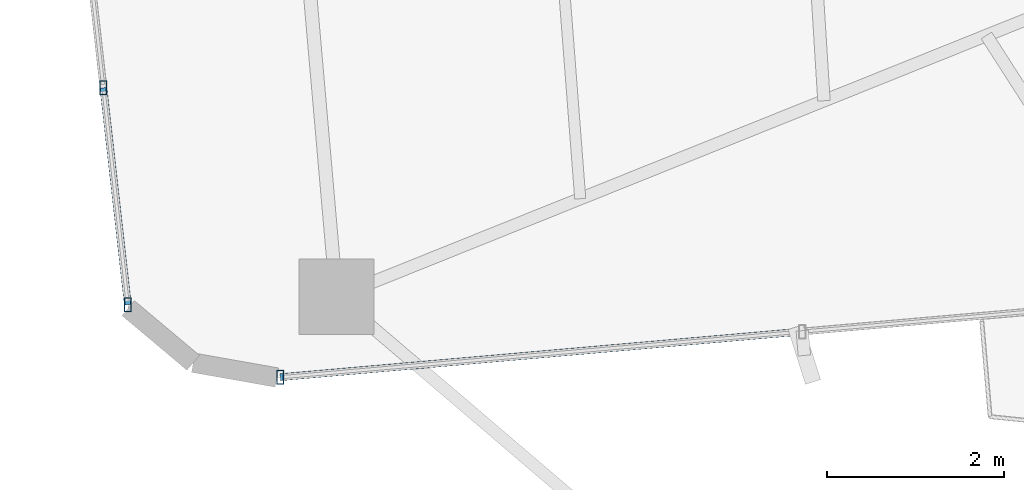
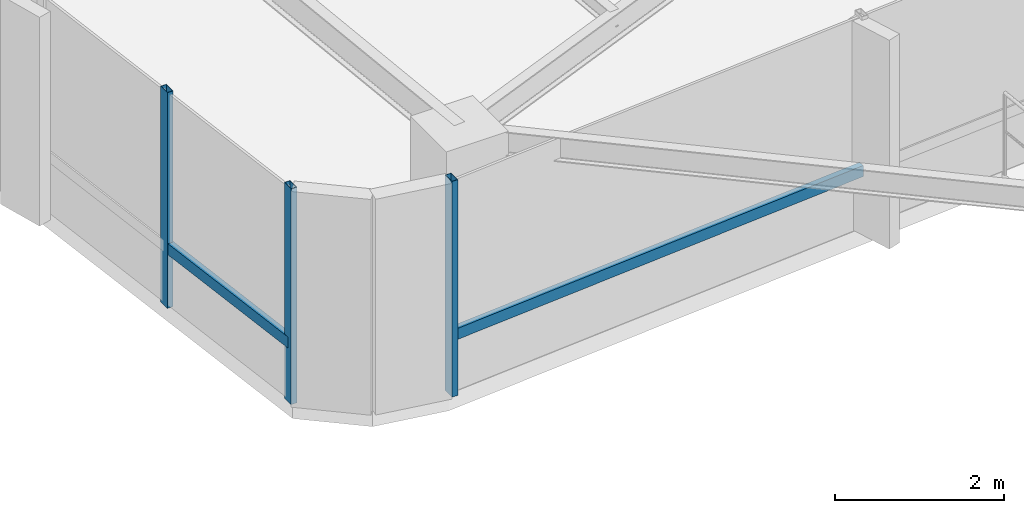
# One storey, part 3 of 24: 5 members, 2 elements without a shape of their own.
"""IFC4 building model written with IfcOpenShell, lengths in metres."""

from ifc_helpers import new_model, si_unit, direction, frame, origin, origin_2d, place, context, subcontext, project, spatial, hollow_rectangle, extrude, source, transform, mapped, material, material_profile, profile_set, type_object, element, aggregate, save


model = new_model("IFC4")

# Units and contexts
model_context = context("Model", 3, precision=1e-05, world=origin(), true_north=direction((0.0, 1.0)))
body_context = subcontext(model_context, "Body", "Model", "MODEL_VIEW")
ifc_project = project(units=[si_unit("LENGTHUNIT", "METRE"), si_unit("AREAUNIT", "SQUARE_METRE"), si_unit("VOLUMEUNIT", "CUBIC_METRE"), si_unit("PLANEANGLEUNIT", "RADIAN"), si_unit("MASSUNIT", "GRAM", prefix="KILO")], contexts=[model_context])

# Site, building, storey
site_placement = place(None, origin())
site = spatial("IfcSite", under=ifc_project, at=site_placement, CompositionType="ELEMENT")
building_placement = place(site_placement, origin())
building = spatial("IfcBuilding", under=site, at=building_placement, Name="Sahyath Konkavel Grand Hotel", CompositionType="ELEMENT")
storey_placement = place(building_placement, frame((0.0, 0.0, 150.60009765625)))
storey = spatial("IfcBuildingStorey", under=building, at=storey_placement, Name="L41", CompositionType="ELEMENT", Elevation=150.60009765625)

# Curtain wall, members
ifc_material_1 = material(Name="Anodised Bronze Aluminium & Low-E Glazing", Category="aluminium")
curtain_wall_type = type_object("IfcCurtainWallType", Name="CW-ZONE3", PredefinedType="NOTDEFINED", material=ifc_material_1)
curtain_wall_1_placement = place(storey_placement, origin())
curtain_wall_1 = element("IfcCurtainWall", 1, at=curtain_wall_1_placement, inside=storey, type_object=curtain_wall_type, Name="L41 Unitised Curtain Wall F20", PredefinedType="NOTDEFINED")
ifc_material_2 = material(Name="Anodised Bronze Aluminium", Category="aluminium")
ifc_material_profile_1 = material_profile(ifc_material_2, hollow_rectangle(XDim=0.080078125, YDim=0.159912109375, WallThickness=0.006103515625, at=origin_2d()), Name="RHS 160x80x6")
ifc_profile_set_1 = profile_set([ifc_material_profile_1], Name="Anodised Bronze Aluminium")
member_type_1 = type_object("IfcMemberType", Name="CW-MUL-160", PredefinedType="MULLION", material=ifc_profile_set_1)
shared_shape_1 = source(origin(), body_context, "Body", "SweptSolid", [
    extrude(hollow_rectangle(XDim=0.080078125, YDim=0.159912109375, WallThickness=0.006103515625, at=origin_2d()), origin(), (0.0, 0.0, 1.0), 3.10986328125),
])
member_1_placement = place(storey_placement, frame((-19.583984375, -4.648193359375, 0.0), z_axis=(0.0, 0.0, 1.0), x_axis=(1.0, 0.0, 0.0)))
member_1 = element("IfcMember", 2, at=member_1_placement, type_object=member_type_1, Name="L41 Curtain Wall Mullion F20-3", PredefinedType="MULLION", context=body_context, shape_type="MappedRepresentation", body=[
    mapped(shared_shape_1, transform((0.0, 0.0, 0.0), scale=1.0)),
])
member_2_placement = place(storey_placement, frame((-19.308349609375, -7.094970703125, 0.0), z_axis=(0.0, 0.0, 1.0), x_axis=(1.0, 0.0, 0.0)))
member_2 = element("IfcMember", 3, at=member_2_placement, type_object=member_type_1, Name="L41 Curtain Wall Mullion F20-4", PredefinedType="MULLION", context=body_context, shape_type="MappedRepresentation", body=[
    mapped(shared_shape_1, transform((0.0, 0.0, 0.0), scale=1.0)),
])

# Curtain wall, member
curtain_wall_2_placement = place(storey_placement, origin())
curtain_wall_2 = element("IfcCurtainWall", 4, at=curtain_wall_2_placement, inside=storey, type_object=curtain_wall_type, Name="L41 Unitised Curtain Wall F23", PredefinedType="NOTDEFINED")
member_3_placement = place(storey_placement, frame((-17.58740234375, -7.912841796875, 0.0), z_axis=(0.0, 0.0, 1.0), x_axis=(1.0, 0.0, 0.0)))
member_3 = element("IfcMember", 5, at=member_3_placement, type_object=member_type_1, Name="L41 Curtain Wall Mullion F23-0", PredefinedType="MULLION", context=body_context, shape_type="MappedRepresentation", body=[
    mapped(shared_shape_1, transform((0.0, 0.0, 0.0), scale=1.0)),
])

# Member
ifc_material_profile_2 = material_profile(ifc_material_2, hollow_rectangle(XDim=0.080078125, YDim=0.159912109375, WallThickness=0.006103515625, at=origin_2d()), Name="RHS 160x80x6")
ifc_profile_set_2 = profile_set([ifc_material_profile_2], Name="Anodised Bronze Aluminium")
member_type_2 = type_object("IfcMemberType", Name="CW-TRN-160", PredefinedType="USERDEFINED", material=ifc_profile_set_2)
shared_shape_2 = source(origin(), body_context, "Body", "SweptSolid", [
    extrude(hollow_rectangle(XDim=0.080078125, YDim=0.159912109375, WallThickness=0.006103515625, at=origin_2d()), origin(), (0.0, 0.0, 1.0), 2.462158203125),
])
member_4_placement = place(storey_placement, frame((-19.583984375, -4.648193359375, 0.849853515625), z_axis=(0.11194409079, -0.993714506555, 0.0), x_axis=(0.993714506555, 0.11194409079, 0.0)))
member_4 = element("IfcMember", 6, at=member_4_placement, type_object=member_type_2, Name="L41 Curtain Wall Transom F20-3-spandrel", ObjectType="TRANSOM", PredefinedType="USERDEFINED", context=body_context, shape_type="MappedRepresentation", body=[
    mapped(shared_shape_2, transform((0.0, 0.0, 0.0), scale=1.0)),
])

aggregate(curtain_wall_1, [member_1, member_2, member_4])

shared_shape_3 = source(origin(), body_context, "Body", "SweptSolid", [
    extrude(hollow_rectangle(XDim=0.080078125, YDim=0.159912109375, WallThickness=0.006103515625, at=origin_2d()), origin(), (0.0, 0.0, 1.0), 5.91015625),
])
member_5_placement = place(storey_placement, frame((-17.58740234375, -7.912841796875, 0.849853515625), z_axis=(0.996197841474, 0.087119806256, 0.0), x_axis=(-0.087119806256, 0.996197841474, 0.0)))
member_5 = element("IfcMember", 7, at=member_5_placement, type_object=member_type_2, Name="L41 Curtain Wall Transom F23-0-spandrel", ObjectType="TRANSOM", PredefinedType="USERDEFINED", context=body_context, shape_type="MappedRepresentation", body=[
    mapped(shared_shape_3, transform((0.0, 0.0, 0.0), scale=1.0)),
])

aggregate(curtain_wall_2, [member_3, member_5])

save(model, "model.ifc")
